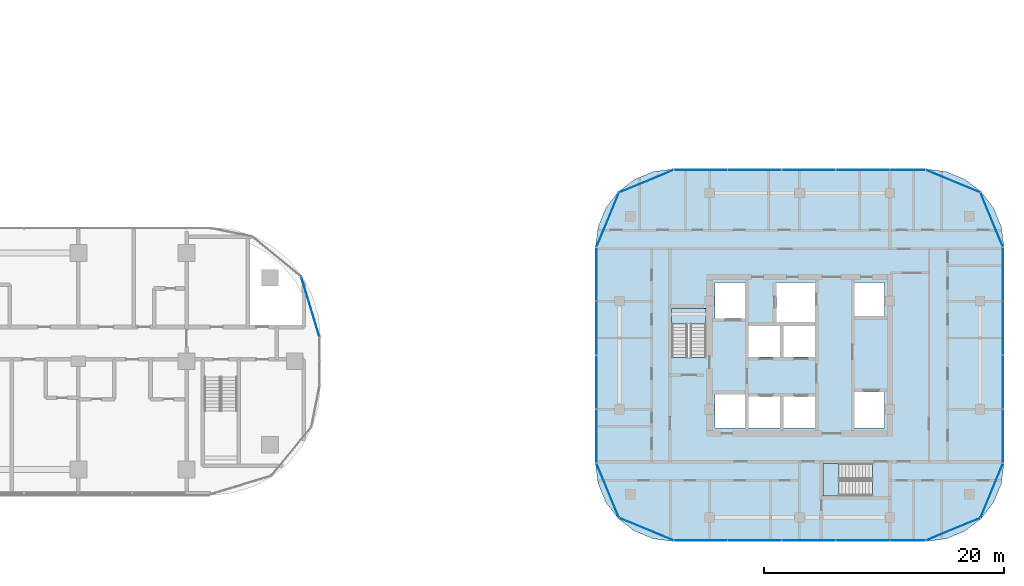
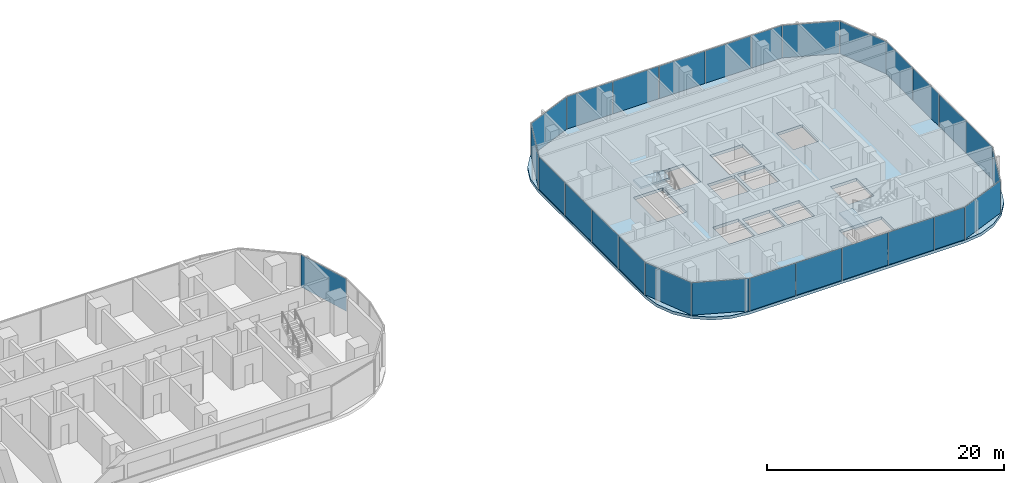
# One storey, part 15 of 32: 27 plates, 3 slabs, 11 elements without a shape of their own.
"""IFC4 building model written with IfcOpenShell, lengths in metres."""

from ifc_helpers import new_model, si_unit, direction, frame, origin, origin_2d, place, context, subcontext, project, spatial, polyline, rectangle, outline, extrude, material, layer, layer_set, type_object, element, aggregate, save


model = new_model("IFC4")

# Units and contexts
model_context = context("Model", 3, precision=1e-05, world=origin(), true_north=direction((0.0, 1.0)))
body_context = subcontext(model_context, "Body", "Model", "MODEL_VIEW")
ifc_project = project(units=[si_unit("LENGTHUNIT", "METRE"), si_unit("AREAUNIT", "SQUARE_METRE"), si_unit("VOLUMEUNIT", "CUBIC_METRE"), si_unit("PLANEANGLEUNIT", "RADIAN"), si_unit("MASSUNIT", "GRAM", prefix="KILO")], contexts=[model_context])

# Site, building, storey
site_placement = place(None, origin())
site = spatial("IfcSite", under=ifc_project, at=site_placement, CompositionType="ELEMENT")
building_placement = place(site_placement, origin())
building = spatial("IfcBuilding", under=site, at=building_placement, Name="Ogive Portal Towers", CompositionType="ELEMENT")
storey_placement = place(building_placement, frame((0.0, 0.0, 59.39990234375)))
storey = spatial("IfcBuildingStorey", under=building, at=storey_placement, Name="L13", CompositionType="ELEMENT", Elevation=59.39990234375)

# Curtain wall, plate
ifc_material_1 = material(Name="Glass, clear low-iron insulated glazing", Category="glass")
curtain_wall_type_1 = type_object("IfcCurtainWallType", Name="CW FRONT RIBBON 4500", PredefinedType="NOTDEFINED", material=ifc_material_1)
curtain_wall_1_placement = place(storey_placement, origin())
curtain_wall_1 = element("IfcCurtainWall", 1, at=curtain_wall_1_placement, inside=storey, type_object=curtain_wall_type_1, Name="A:L13:f13:cwa", PredefinedType="NOTDEFINED")
ifc_layer_1 = layer(ifc_material_1, 0.028076171875)
ifc_layer_set_1 = layer_set([ifc_layer_1], Name="CW PANEL IGU 28")
plate_type = type_object("IfcPlateType", Name="CW PANEL IGU 28", PredefinedType="CURTAIN_PANEL", material=ifc_layer_set_1)
plate_1_placement = place(storey_placement, frame((95.799560546875, 35.01123046875, 0.0), z_axis=(0.0, 0.0, 1.0), x_axis=(-0.290284677254, 0.956940335732, 0.0)))
plate_1 = element("IfcPlate", 2, at=plate_1_placement, type_object=plate_type, Name="panel", PredefinedType="CURTAIN_PANEL", context=body_context, shape_type="SweptSolid", body=[
    extrude(rectangle(XDim=5.213134765625, YDim=0.028076171875, at=origin_2d()), origin(), (0.0, 0.0, 1.0), 3.340087890625),
])
aggregate(curtain_wall_1, [plate_1])

# Curtain wall, plates
curtain_wall_type_2 = type_object("IfcCurtainWallType", Name="CW RESIDENCES RIBBON", PredefinedType="NOTDEFINED", material=ifc_material_1)
curtain_wall_2_placement = place(storey_placement, origin())
curtain_wall_2 = element("IfcCurtainWall", 3, at=curtain_wall_2_placement, inside=storey, type_object=curtain_wall_type_2, Name="B:L13:f02:cw0", PredefinedType="NOTDEFINED")
plate_2_placement = place(storey_placement, frame((128.258056640625, 15.590087890625, 0.0), z_axis=(0.0, 0.0, 1.0), x_axis=(1.0, 0.0, 0.0)))
plate_2 = element("IfcPlate", 4, at=plate_2_placement, type_object=plate_type, Name="panel", PredefinedType="CURTAIN_PANEL", context=body_context, shape_type="SweptSolid", body=[
    extrude(rectangle(XDim=4.424072265625, YDim=0.028076171875, at=origin_2d()), origin(), (0.0, 0.0, 1.0), 3.340087890625),
])
plate_3_placement = place(storey_placement, frame((132.75, 15.590087890625, 0.0), z_axis=(0.0, 0.0, 1.0), x_axis=(1.0, 0.0, 0.0)))
plate_3 = element("IfcPlate", 5, at=plate_3_placement, type_object=plate_type, Name="panel", PredefinedType="CURTAIN_PANEL", context=body_context, shape_type="SweptSolid", body=[
    extrude(rectangle(XDim=4.43994140625, YDim=0.028076171875, at=origin_2d()), origin(), (0.0, 0.0, 1.0), 3.340087890625),
])
plate_4_placement = place(storey_placement, frame((137.25, 15.590087890625, 0.0), z_axis=(0.0, 0.0, 1.0), x_axis=(1.0, 0.0, 0.0)))
plate_4 = element("IfcPlate", 6, at=plate_4_placement, type_object=plate_type, Name="panel", PredefinedType="CURTAIN_PANEL", context=body_context, shape_type="SweptSolid", body=[
    extrude(rectangle(XDim=4.43994140625, YDim=0.028076171875, at=origin_2d()), origin(), (0.0, 0.0, 1.0), 3.340087890625),
])
plate_5_placement = place(storey_placement, frame((141.75, 15.590087890625, 0.0), z_axis=(0.0, 0.0, 1.0), x_axis=(1.0, 0.0, 0.0)))
plate_5 = element("IfcPlate", 7, at=plate_5_placement, type_object=plate_type, Name="panel", PredefinedType="CURTAIN_PANEL", context=body_context, shape_type="SweptSolid", body=[
    extrude(rectangle(XDim=4.43994140625, YDim=0.028076171875, at=origin_2d()), origin(), (0.0, 0.0, 1.0), 3.340087890625),
])
plate_6_placement = place(storey_placement, frame((145.491943359375, 15.590087890625, 0.0), z_axis=(0.0, 0.0, 1.0), x_axis=(1.0, 0.0, 0.0)))
plate_6 = element("IfcPlate", 8, at=plate_6_placement, type_object=plate_type, Name="panel", PredefinedType="CURTAIN_PANEL", context=body_context, shape_type="SweptSolid", body=[
    extrude(rectangle(XDim=2.924072265625, YDim=0.028076171875, at=origin_2d()), origin(), (0.0, 0.0, 1.0), 3.340087890625),
])
aggregate(curtain_wall_2, [plate_2, plate_3, plate_4, plate_5, plate_6])

curtain_wall_3_placement = place(storey_placement, origin())
curtain_wall_3 = element("IfcCurtainWall", 9, at=curtain_wall_3_placement, inside=storey, type_object=curtain_wall_type_2, Name="B:L13:f05:cw0", PredefinedType="NOTDEFINED")
plate_7_placement = place(storey_placement, frame((153.409912109375, 24.258056640625, 0.0), z_axis=(0.0, 0.0, 1.0), x_axis=(0.0, 1.0, 0.0)))
plate_7 = element("IfcPlate", 10, at=plate_7_placement, type_object=plate_type, Name="panel", PredefinedType="CURTAIN_PANEL", context=body_context, shape_type="SweptSolid", body=[
    extrude(rectangle(XDim=4.424072265625, YDim=0.028076171875, at=origin_2d()), origin(), (0.0, 0.0, 1.0), 3.340087890625),
])
plate_8_placement = place(storey_placement, frame((153.409912109375, 28.75, 0.0), z_axis=(0.0, 0.0, 1.0), x_axis=(0.0, 1.0, 0.0)))
plate_8 = element("IfcPlate", 11, at=plate_8_placement, type_object=plate_type, Name="panel", PredefinedType="CURTAIN_PANEL", context=body_context, shape_type="SweptSolid", body=[
    extrude(rectangle(XDim=4.43994140625, YDim=0.028076171875, at=origin_2d()), origin(), (0.0, 0.0, 1.0), 3.340087890625),
])
plate_9_placement = place(storey_placement, frame((153.409912109375, 33.25, 0.0), z_axis=(0.0, 0.0, 1.0), x_axis=(0.0, 1.0, 0.0)))
plate_9 = element("IfcPlate", 12, at=plate_9_placement, type_object=plate_type, Name="panel", PredefinedType="CURTAIN_PANEL", context=body_context, shape_type="SweptSolid", body=[
    extrude(rectangle(XDim=4.43994140625, YDim=0.028076171875, at=origin_2d()), origin(), (0.0, 0.0, 1.0), 3.340087890625),
])
plate_10_placement = place(storey_placement, frame((153.409912109375, 37.741943359375, 0.0), z_axis=(0.0, 0.0, 1.0), x_axis=(0.0, 1.0, 0.0)))
plate_10 = element("IfcPlate", 13, at=plate_10_placement, type_object=plate_type, Name="panel", PredefinedType="CURTAIN_PANEL", context=body_context, shape_type="SweptSolid", body=[
    extrude(rectangle(XDim=4.424072265625, YDim=0.028076171875, at=origin_2d()), origin(), (0.0, 0.0, 1.0), 3.340087890625),
])
aggregate(curtain_wall_3, [plate_7, plate_8, plate_9, plate_10])

curtain_wall_4_placement = place(storey_placement, origin())
curtain_wall_4 = element("IfcCurtainWall", 14, at=curtain_wall_4_placement, inside=storey, type_object=curtain_wall_type_2, Name="B:L13:f08:cw0", PredefinedType="NOTDEFINED")
plate_11_placement = place(storey_placement, frame((145.491943359375, 46.409912109375, 0.0), z_axis=(0.0, 0.0, 1.0), x_axis=(-1.0, 0.0, 0.0)))
plate_11 = element("IfcPlate", 15, at=plate_11_placement, type_object=plate_type, Name="panel", PredefinedType="CURTAIN_PANEL", context=body_context, shape_type="SweptSolid", body=[
    extrude(rectangle(XDim=2.924072265625, YDim=0.028076171875, at=origin_2d()), origin(), (0.0, 0.0, 1.0), 3.340087890625),
])
plate_12_placement = place(storey_placement, frame((141.75, 46.409912109375, 0.0), z_axis=(0.0, 0.0, 1.0), x_axis=(-1.0, 0.0, 0.0)))
plate_12 = element("IfcPlate", 16, at=plate_12_placement, type_object=plate_type, Name="panel", PredefinedType="CURTAIN_PANEL", context=body_context, shape_type="SweptSolid", body=[
    extrude(rectangle(XDim=4.43994140625, YDim=0.028076171875, at=origin_2d()), origin(), (0.0, 0.0, 1.0), 3.340087890625),
])
plate_13_placement = place(storey_placement, frame((137.25, 46.409912109375, 0.0), z_axis=(0.0, 0.0, 1.0), x_axis=(-1.0, 0.0, 0.0)))
plate_13 = element("IfcPlate", 17, at=plate_13_placement, type_object=plate_type, Name="panel", PredefinedType="CURTAIN_PANEL", context=body_context, shape_type="SweptSolid", body=[
    extrude(rectangle(XDim=4.43994140625, YDim=0.028076171875, at=origin_2d()), origin(), (0.0, 0.0, 1.0), 3.340087890625),
])
plate_14_placement = place(storey_placement, frame((132.75, 46.409912109375, 0.0), z_axis=(0.0, 0.0, 1.0), x_axis=(-1.0, 0.0, 0.0)))
plate_14 = element("IfcPlate", 18, at=plate_14_placement, type_object=plate_type, Name="panel", PredefinedType="CURTAIN_PANEL", context=body_context, shape_type="SweptSolid", body=[
    extrude(rectangle(XDim=4.43994140625, YDim=0.028076171875, at=origin_2d()), origin(), (0.0, 0.0, 1.0), 3.340087890625),
])
plate_15_placement = place(storey_placement, frame((128.258056640625, 46.409912109375, 0.0), z_axis=(0.0, 0.0, 1.0), x_axis=(-1.0, 0.0, 0.0)))
plate_15 = element("IfcPlate", 19, at=plate_15_placement, type_object=plate_type, Name="panel", PredefinedType="CURTAIN_PANEL", context=body_context, shape_type="SweptSolid", body=[
    extrude(rectangle(XDim=4.424072265625, YDim=0.028076171875, at=origin_2d()), origin(), (0.0, 0.0, 1.0), 3.340087890625),
])
aggregate(curtain_wall_4, [plate_11, plate_12, plate_13, plate_14, plate_15])

curtain_wall_5_placement = place(storey_placement, origin())
curtain_wall_5 = element("IfcCurtainWall", 20, at=curtain_wall_5_placement, inside=storey, type_object=curtain_wall_type_2, Name="B:L13:f11:cw0", PredefinedType="NOTDEFINED")
plate_16_placement = place(storey_placement, frame((119.590087890625, 37.741943359375, 0.0), z_axis=(0.0, 0.0, 1.0), x_axis=(0.0, -1.0, 0.0)))
plate_16 = element("IfcPlate", 21, at=plate_16_placement, type_object=plate_type, Name="panel", PredefinedType="CURTAIN_PANEL", context=body_context, shape_type="SweptSolid", body=[
    extrude(rectangle(XDim=4.424072265625, YDim=0.028076171875, at=origin_2d()), origin(), (0.0, 0.0, 1.0), 3.340087890625),
])
plate_17_placement = place(storey_placement, frame((119.590087890625, 33.25, 0.0), z_axis=(0.0, 0.0, 1.0), x_axis=(0.0, -1.0, 0.0)))
plate_17 = element("IfcPlate", 22, at=plate_17_placement, type_object=plate_type, Name="panel", PredefinedType="CURTAIN_PANEL", context=body_context, shape_type="SweptSolid", body=[
    extrude(rectangle(XDim=4.43994140625, YDim=0.028076171875, at=origin_2d()), origin(), (0.0, 0.0, 1.0), 3.340087890625),
])
plate_18_placement = place(storey_placement, frame((119.590087890625, 28.75, 0.0), z_axis=(0.0, 0.0, 1.0), x_axis=(0.0, -1.0, 0.0)))
plate_18 = element("IfcPlate", 23, at=plate_18_placement, type_object=plate_type, Name="panel", PredefinedType="CURTAIN_PANEL", context=body_context, shape_type="SweptSolid", body=[
    extrude(rectangle(XDim=4.43994140625, YDim=0.028076171875, at=origin_2d()), origin(), (0.0, 0.0, 1.0), 3.340087890625),
])
plate_19_placement = place(storey_placement, frame((119.590087890625, 24.258056640625, 0.0), z_axis=(0.0, 0.0, 1.0), x_axis=(0.0, -1.0, 0.0)))
plate_19 = element("IfcPlate", 24, at=plate_19_placement, type_object=plate_type, Name="panel", PredefinedType="CURTAIN_PANEL", context=body_context, shape_type="SweptSolid", body=[
    extrude(rectangle(XDim=4.424072265625, YDim=0.028076171875, at=origin_2d()), origin(), (0.0, 0.0, 1.0), 3.340087890625),
])
aggregate(curtain_wall_5, [plate_16, plate_17, plate_18, plate_19])

curtain_wall_6_placement = place(storey_placement, origin())
curtain_wall_6 = element("IfcCurtainWall", 25, at=curtain_wall_6_placement, inside=storey, type_object=curtain_wall_type_2, Name="B:L13:f00:cwa", PredefinedType="NOTDEFINED")
plate_20_placement = place(storey_placement, frame((120.531005859375, 19.743896484375, 0.0), z_axis=(0.0, 0.0, 1.0), x_axis=(0.382683432365, -0.923879532511, 0.0)))
plate_20 = element("IfcPlate", 26, at=plate_20_placement, type_object=plate_type, Name="panel", PredefinedType="CURTAIN_PANEL", context=body_context, shape_type="SweptSolid", body=[
    extrude(rectangle(XDim=4.858154296875, YDim=0.028076171875, at=origin_2d()), origin(), (0.0, 0.0, 1.0), 3.340087890625),
])
plate_21_placement = place(storey_placement, frame((123.743896484375, 16.531005859375, 0.0), z_axis=(0.0, 0.0, 1.0), x_axis=(0.923879532511, -0.382683432365, 0.0)))
plate_21 = element("IfcPlate", 27, at=plate_21_placement, type_object=plate_type, Name="panel", PredefinedType="CURTAIN_PANEL", context=body_context, shape_type="SweptSolid", body=[
    extrude(rectangle(XDim=4.858154296875, YDim=0.028076171875, at=origin_2d()), origin(), (0.0, 0.0, 1.0), 3.340087890625),
])
aggregate(curtain_wall_6, [plate_20, plate_21])

curtain_wall_7_placement = place(storey_placement, origin())
curtain_wall_7 = element("IfcCurtainWall", 28, at=curtain_wall_7_placement, inside=storey, type_object=curtain_wall_type_2, Name="B:L13:f03:cwa", PredefinedType="NOTDEFINED")
plate_22_placement = place(storey_placement, frame((149.256103515625, 16.531005859375, 0.0), z_axis=(0.0, 0.0, 1.0), x_axis=(0.923879532511, 0.382683432365, 0.0)))
plate_22 = element("IfcPlate", 29, at=plate_22_placement, type_object=plate_type, Name="panel", PredefinedType="CURTAIN_PANEL", context=body_context, shape_type="SweptSolid", body=[
    extrude(rectangle(XDim=4.858154296875, YDim=0.028076171875, at=origin_2d()), origin(), (0.0, 0.0, 1.0), 3.340087890625),
])
plate_23_placement = place(storey_placement, frame((152.468994140625, 19.743896484375, 0.0), z_axis=(0.0, 0.0, 1.0), x_axis=(0.382683432365, 0.923879532511, 0.0)))
plate_23 = element("IfcPlate", 30, at=plate_23_placement, type_object=plate_type, Name="panel", PredefinedType="CURTAIN_PANEL", context=body_context, shape_type="SweptSolid", body=[
    extrude(rectangle(XDim=4.858154296875, YDim=0.028076171875, at=origin_2d()), origin(), (0.0, 0.0, 1.0), 3.340087890625),
])
aggregate(curtain_wall_7, [plate_22, plate_23])

curtain_wall_8_placement = place(storey_placement, origin())
curtain_wall_8 = element("IfcCurtainWall", 31, at=curtain_wall_8_placement, inside=storey, type_object=curtain_wall_type_2, Name="B:L13:f06:cwa", PredefinedType="NOTDEFINED")
plate_24_placement = place(storey_placement, frame((152.468994140625, 42.256103515625, 0.0), z_axis=(0.0, 0.0, 1.0), x_axis=(-0.382683432365, 0.923879532511, 0.0)))
plate_24 = element("IfcPlate", 32, at=plate_24_placement, type_object=plate_type, Name="panel", PredefinedType="CURTAIN_PANEL", context=body_context, shape_type="SweptSolid", body=[
    extrude(rectangle(XDim=4.858154296875, YDim=0.028076171875, at=origin_2d()), origin(), (0.0, 0.0, 1.0), 3.340087890625),
])
plate_25_placement = place(storey_placement, frame((149.256103515625, 45.468994140625, 0.0), z_axis=(0.0, 0.0, 1.0), x_axis=(-0.923879532511, 0.382683432365, 0.0)))
plate_25 = element("IfcPlate", 33, at=plate_25_placement, type_object=plate_type, Name="panel", PredefinedType="CURTAIN_PANEL", context=body_context, shape_type="SweptSolid", body=[
    extrude(rectangle(XDim=4.858154296875, YDim=0.028076171875, at=origin_2d()), origin(), (0.0, 0.0, 1.0), 3.340087890625),
])
aggregate(curtain_wall_8, [plate_24, plate_25])

curtain_wall_9_placement = place(storey_placement, origin())
curtain_wall_9 = element("IfcCurtainWall", 34, at=curtain_wall_9_placement, inside=storey, type_object=curtain_wall_type_2, Name="B:L13:f09:cwa", PredefinedType="NOTDEFINED")
plate_26_placement = place(storey_placement, frame((123.743896484375, 45.468994140625, 0.0), z_axis=(0.0, 0.0, 1.0), x_axis=(-0.923879532511, -0.382683432365, 0.0)))
plate_26 = element("IfcPlate", 35, at=plate_26_placement, type_object=plate_type, Name="panel", PredefinedType="CURTAIN_PANEL", context=body_context, shape_type="SweptSolid", body=[
    extrude(rectangle(XDim=4.858154296875, YDim=0.028076171875, at=origin_2d()), origin(), (0.0, 0.0, 1.0), 3.340087890625),
])
plate_27_placement = place(storey_placement, frame((120.531005859375, 42.256103515625, 0.0), z_axis=(0.0, 0.0, 1.0), x_axis=(-0.382683432365, -0.923879532511, 0.0)))
plate_27 = element("IfcPlate", 36, at=plate_27_placement, type_object=plate_type, Name="panel", PredefinedType="CURTAIN_PANEL", context=body_context, shape_type="SweptSolid", body=[
    extrude(rectangle(XDim=4.858154296875, YDim=0.028076171875, at=origin_2d()), origin(), (0.0, 0.0, 1.0), 3.340087890625),
])
aggregate(curtain_wall_9, [plate_26, plate_27])

# Stair, slab
ifc_material_2 = material(Name="Concrete C40/50", Category="concrete")
stair_type = type_object("IfcStairType", Name="INT-STAIR", PredefinedType="HALF_TURN_STAIR", material=ifc_material_2)
stair_1_placement = place(storey_placement, origin())
stair_1 = element("IfcStair", 37, at=stair_1_placement, inside=storey, type_object=stair_type, Name="L13 Exit Stair ST-B1", PredefinedType="HALF_TURN_STAIR")
ifc_layer_2 = layer(ifc_material_2, 0.199951171875)
ifc_layer_set_2 = layer_set([ifc_layer_2], Name="INT-LANDING")
slab_type_1 = type_object("IfcSlabType", Name="INT-LANDING", PredefinedType="LANDING", material=ifc_layer_set_2)
slab_1_placement = place(storey_placement, frame((0.0, 0.0, 1.650146484375)))
slab_1 = element("IfcSlab", 38, at=slab_1_placement, type_object=slab_type_1, Name="ST-B1 landing 1", PredefinedType="LANDING", context=body_context, shape_type="SweptSolid", body=[
    extrude(outline(polyline([(128.699951171875, 33.60009765625), (128.699951171875, 34.89990234375), (125.85009765625, 34.89990234375), (125.85009765625, 33.60009765625), (128.699951171875, 33.60009765625)])), origin(), (0.0, 0.0, 1.0), 0.199951171875),
])
aggregate(stair_1, [slab_1])

stair_2_placement = place(storey_placement, origin())
stair_2 = element("IfcStair", 39, at=stair_2_placement, inside=storey, type_object=stair_type, Name="L13 Exit Stair ST-B2", PredefinedType="HALF_TURN_STAIR")
slab_2_placement = place(storey_placement, frame((0.0, 0.0, 1.650146484375)))
slab_2 = element("IfcSlab", 40, at=slab_2_placement, type_object=slab_type_1, Name="ST-B2 landing 1", PredefinedType="LANDING", context=body_context, shape_type="SweptSolid", body=[
    extrude(outline(polyline([(139.75, 22.0), (138.449951171875, 22.0), (138.449951171875, 19.300048828125), (139.75, 19.300048828125), (139.75, 22.0)])), origin(), (0.0, 0.0, 1.0), 0.199951171875),
])
aggregate(stair_2, [slab_2])

# Slab
ifc_material_3 = material(Name="Concrete C45/55", Category="concrete")
ifc_layer_3 = layer(ifc_material_3, 0.300048828125)
ifc_layer_set_3 = layer_set([ifc_layer_3], Name="PT FLAT PLATE 300")
slab_type_2 = type_object("IfcSlabType", Name="PT FLAT PLATE 300", PredefinedType="FLOOR", material=ifc_layer_set_3)
slab_3_placement = place(storey_placement, frame((0.0, 0.0, -0.2998046875)))
element("IfcSlab", 41, at=slab_3_placement, inside=storey, type_object=slab_type_2, Name="Floor slab L13", PredefinedType="FLOOR", context=body_context, shape_type="SweptSolid", body=[
    extrude(outline(polyline([(119.510009765625, 40.0), (119.510009765625, 22.0), (119.731201171875, 20.3203125), (120.37939453125, 18.7548828125), (121.410888671875, 17.410888671875), (122.7548828125, 16.37939453125), (124.3203125, 15.731201171875), (126.0, 15.510009765625), (147.0, 15.510009765625), (148.6796875, 15.731201171875), (150.2451171875, 16.37939453125), (151.589111328125, 17.410888671875), (152.62060546875, 18.7548828125), (153.268798828125, 20.3203125), (153.489990234375, 22.0), (153.489990234375, 40.0), (153.268798828125, 41.6796875), (152.62060546875, 43.2451171875), (151.589111328125, 44.589111328125), (150.2451171875, 45.62060546875), (148.6796875, 46.268798828125), (147.0, 46.489990234375), (126.0, 46.489990234375), (124.3203125, 46.268798828125), (122.7548828125, 45.62060546875), (121.410888671875, 44.589111328125), (120.37939453125, 43.2451171875), (119.731201171875, 41.6796875), (119.510009765625, 40.0)]), holes=[polyline([(131.949951171875, 27.75), (131.949951171875, 24.949951171875), (129.449951171875, 24.949951171875), (129.449951171875, 27.75), (131.949951171875, 27.75)]), polyline([(134.85009765625, 33.449951171875), (134.85009765625, 30.85009765625), (132.25, 30.85009765625), (132.25, 33.449951171875), (134.85009765625, 33.449951171875)]), polyline([(128.697998046875, 34.89794921875), (128.697998046875, 30.802001953125), (125.85205078125, 30.802001953125), (125.85205078125, 34.89794921875), (128.697998046875, 34.89794921875)]), polyline([(131.949951171875, 37.050048828125), (131.949951171875, 34.050048828125), (129.449951171875, 34.050048828125), (129.449951171875, 37.050048828125), (131.949951171875, 37.050048828125)]), polyline([(138.451904296875, 21.998046875), (142.548095703125, 21.998046875), (142.548095703125, 19.302001953125), (138.451904296875, 19.302001953125), (138.451904296875, 21.998046875)]), polyline([(134.85009765625, 27.550048828125), (134.85009765625, 24.949951171875), (132.25, 24.949951171875), (132.25, 27.550048828125), (134.85009765625, 27.550048828125)]), polyline([(137.75, 27.550048828125), (137.75, 24.949951171875), (135.14990234375, 24.949951171875), (135.14990234375, 27.550048828125), (137.75, 27.550048828125)]), polyline([(143.550048828125, 27.949951171875), (143.550048828125, 24.949951171875), (141.050048828125, 24.949951171875), (141.050048828125, 27.949951171875), (143.550048828125, 27.949951171875)]), polyline([(137.75, 33.449951171875), (137.75, 30.85009765625), (135.14990234375, 30.85009765625), (135.14990234375, 33.449951171875), (137.75, 33.449951171875)]), polyline([(137.75, 37.050048828125), (137.75, 33.75), (134.550048828125, 33.75), (134.550048828125, 37.050048828125), (137.75, 37.050048828125)]), polyline([(143.550048828125, 37.050048828125), (143.550048828125, 34.25), (141.050048828125, 34.25), (141.050048828125, 37.050048828125), (143.550048828125, 37.050048828125)])]), origin(), (0.0, 0.0, 1.0), 0.2998046875),
])

save(model, "model.ifc")
